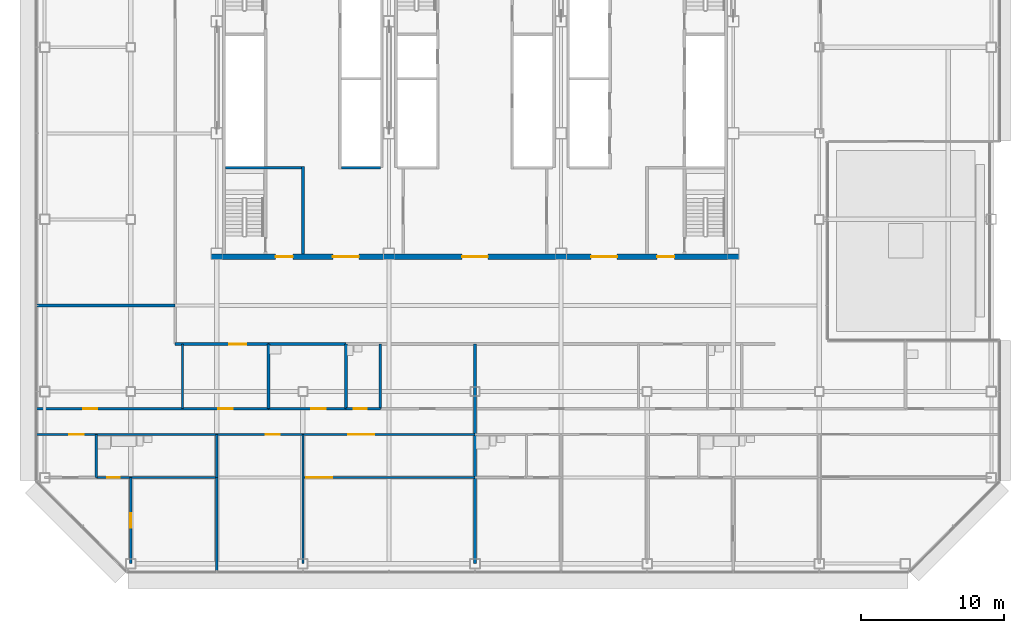
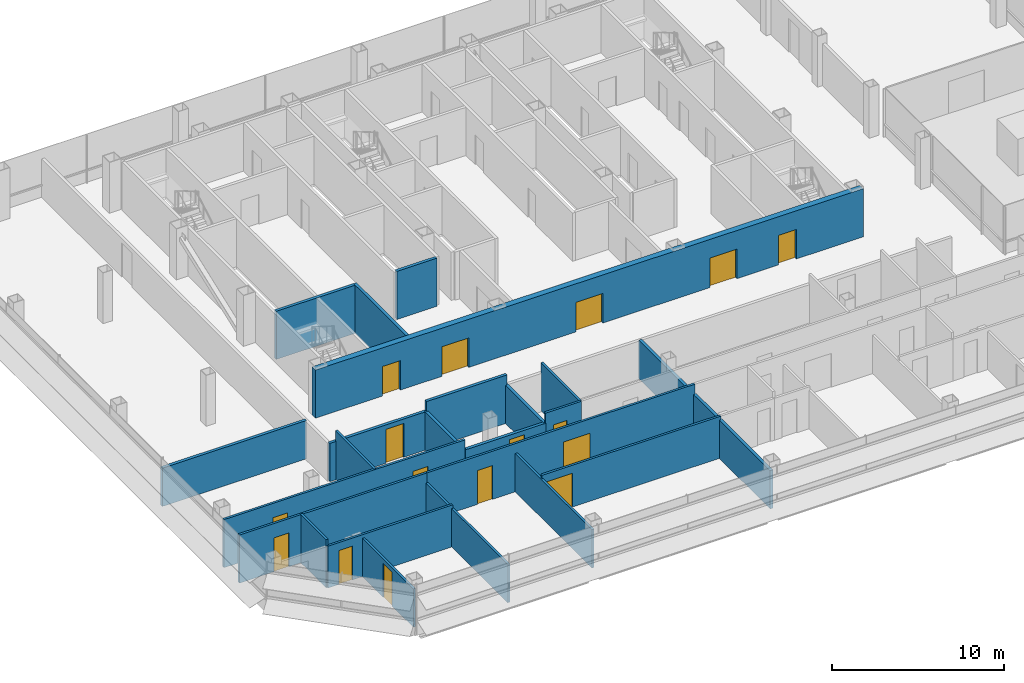
# One storey, part 19 of 27: 25 walls, 16 doors, 16 openings.
"""IFC4 building model written with IfcOpenShell, lengths in metres."""

from ifc_helpers import new_model, si_unit, direction, frame, frame_2d, origin, place, context, subcontext, project, spatial, rectangle, extrude, material, layer, layer_set, type_object, element, fill, save


model = new_model("IFC4")

# Units and contexts
model_context = context("Model", 3, precision=1e-05, world=origin(), true_north=direction((0.0, 1.0)))
body_context = subcontext(model_context, "Body", "Model", "MODEL_VIEW")
ifc_project = project(units=[si_unit("LENGTHUNIT", "METRE"), si_unit("AREAUNIT", "SQUARE_METRE"), si_unit("VOLUMEUNIT", "CUBIC_METRE"), si_unit("PLANEANGLEUNIT", "RADIAN"), si_unit("MASSUNIT", "GRAM", prefix="KILO")], contexts=[model_context])

# Site, building, storey
site_placement = place(None, origin())
site = spatial("IfcSite", under=ifc_project, at=site_placement, CompositionType="ELEMENT")
building_placement = place(site_placement, origin())
building = spatial("IfcBuilding", under=site, at=building_placement, Name="Sorahane Residences", CompositionType="ELEMENT")
storey_placement = place(building_placement, frame((0.0, 0.0, 167.199951171875)))
storey = spatial("IfcBuildingStorey", under=building, at=storey_placement, Name="L38", CompositionType="ELEMENT", Elevation=167.199951171875)

# Wall, opening, door
ifc_material_1 = material(Name="Concrete blockwork C20 wall", Category="masonry")
ifc_layer_1 = layer(ifc_material_1, 0.199951171875)
ifc_layer_set_1 = layer_set([ifc_layer_1], Name="Corridor wall 200 EI 120")
wall_type_1 = type_object("IfcWallType", Name="Corridor wall 200 EI 120", PredefinedType="SOLIDWALL", material=ifc_layer_set_1)
wall_1_placement = place(storey_placement, frame((3.10009765625, 15.300048828125, 0.0), z_axis=(0.0, 0.0, 1.0), x_axis=(1.0, 0.0, 0.0)))
wall_1 = element("IfcWall", 1, at=wall_1_placement, inside=storey, type_object=wall_type_1, Name="L38 corridor wall", PredefinedType="SOLIDWALL", context=body_context, shape_type="SweptSolid", body=[
    extrude(rectangle(XDim=6.5, YDim=0.199951171875, at=frame_2d((3.25, 0.0))), origin(), (0.0, 0.0, 1.0), 2.719970703125),
])
opening_1_placement = place(wall_1_placement, frame((3.760009765625, 0.0, 0.0)))
opening_1 = element("IfcOpeningElement", 2, at=opening_1_placement, cuts=wall_1, Name="Opening L38-28", PredefinedType="OPENING", context=body_context, shape_type="SweptSolid", body=[
    extrude(rectangle(XDim=1.199951171875, YDim=2.39990234375, at=frame_2d((0.60009765625, 1.199951171875))), frame((0.0, 0.10986328125, 0.0), z_axis=(0.0, -1.0, 0.0), x_axis=(1.0, 0.0, 0.0)), (0.0, 0.0, 1.0), 0.219970703125),
])
ifc_material_2 = material(Name="Timber veneered fire door", Category="wood")
door_type_1 = type_object("IfcDoorType", Name="Flat entrance door 1200x2400 FD60", OperationType="NOTDEFINED", PredefinedType="DOOR", material=ifc_material_2)
door_1_placement = place(opening_1_placement, frame((1.199951171875, 0.0, 0.0), z_axis=(0.0, 0.0, 1.0), x_axis=(-1.0, 0.0, 0.0)))
door_1 = element("IfcDoor", 3, at=door_1_placement, inside=storey, type_object=door_type_1, Name="Flat entrance door L38-28", OperationType="SINGLE_SWING_LEFT", OverallHeight=2.39990234375, OverallWidth=1.199951171875, PredefinedType="DOOR", context=body_context, shape_type="SweptSolid", body=[
    extrude(rectangle(XDim=1.199951171875, YDim=2.39990234375, at=frame_2d((0.60009765625, 1.199951171875))), frame((0.0, 0.02490234375, 0.0), z_axis=(0.0, -1.0, 0.0), x_axis=(1.0, 0.0, 0.0)), (0.0, 0.0, 1.0), 0.050048828125),
])
fill(opening_1, door_1)

# Walls
wall_2_placement = place(storey_placement, frame((-6.60009765625, 18.0, 0.0), z_axis=(0.0, 0.0, 1.0), x_axis=(1.0, 0.0, 0.0)))
element("IfcWall", 4, at=wall_2_placement, inside=storey, type_object=wall_type_1, Name="L38 corridor wall", PredefinedType="SOLIDWALL", context=body_context, shape_type="SweptSolid", body=[
    extrude(rectangle(XDim=9.7001953125, YDim=0.199951171875, at=frame_2d((4.85009765625, 0.0))), origin(), (0.0, 0.0, 1.0), 2.719970703125),
])
ifc_material_3 = material(Name="Concrete C30", Category="concrete")
ifc_layer_2 = layer(ifc_material_3, 0.199951171875)
ifc_layer_set_2 = layer_set([ifc_layer_2], Name="Front room wall 200 EI 120")
wall_type_2 = type_object("IfcWallType", Name="Front room wall 200 EI 120", PredefinedType="PARTITIONING", material=ifc_layer_set_2)
wall_3_placement = place(storey_placement, frame((12.0, 21.60009765625, 0.0), z_axis=(0.0, 0.0, 1.0), x_axis=(0.0, 1.0, 0.0)))
element("IfcWall", 5, at=wall_3_placement, inside=storey, type_object=wall_type_2, Name="L38 front room wall", PredefinedType="PARTITIONING", context=body_context, shape_type="SweptSolid", body=[
    extrude(rectangle(XDim=6.099853515625, YDim=0.199951171875, at=frame_2d((3.0498046875, 0.0))), origin(), (0.0, 0.0, 1.0), 3.420166015625),
])
ifc_material_4 = material(Name="Concrete blockwork C20 wall", Category="masonry")
ifc_layer_3 = layer(ifc_material_4, 0.199951171875)
ifc_layer_set_3 = layer_set([ifc_layer_3], Name="Kitchen wall 200 EI 180")
wall_type_3 = type_object("IfcWallType", Name="Kitchen wall 200 EI 180", PredefinedType="SOLIDWALL", material=ifc_layer_set_3)
for number, where, z_axis, x_axis, name in (
    (6, (15.0, 10.800048828125, 0.0), (0.0, 0.0, 1.0), (0.0, 1.0, 0.0), "L38 kitchen wall"),
    (7, (9.60009765625, 10.800048828125, 0.0), (0.0, 0.0, 1.0), (0.0, 1.0, 0.0), "L38 kitchen wall"),
):
    element("IfcWall", number, at=place(storey_placement, frame(where, z_axis=z_axis, x_axis=x_axis)), inside=storey, type_object=wall_type_3, Name=name, PredefinedType="SOLIDWALL", context=body_context, shape_type="SweptSolid", body=[
        extrude(rectangle(XDim=4.5, YDim=0.199951171875, at=frame_2d((2.25, 0.0))), origin(), (0.0, 0.0, 1.0), 2.719970703125),
    ])

# Wall, opening, door
wall_4_placement = place(storey_placement, frame((9.60009765625, 10.800048828125, 0.0), z_axis=(0.0, 0.0, 1.0), x_axis=(1.0, 0.0, 0.0)))
wall_4 = element("IfcWall", 8, at=wall_4_placement, inside=storey, type_object=wall_type_3, Name="L38 kitchen wall", PredefinedType="SOLIDWALL", context=body_context, shape_type="SweptSolid", body=[
    extrude(rectangle(XDim=5.39990234375, YDim=0.199951171875, at=frame_2d((2.699951171875, 0.0))), origin(), (0.0, 0.0, 1.0), 2.719970703125),
])
opening_2_placement = place(wall_4_placement, frame((2.97998046875, 0.0, 0.0)))
opening_2 = element("IfcOpeningElement", 9, at=opening_2_placement, cuts=wall_4, Name="Opening L38-03", PredefinedType="OPENING", context=body_context, shape_type="SweptSolid", body=[
    extrude(rectangle(XDim=1.0, YDim=2.39990234375, at=frame_2d((0.5, 1.199951171875))), frame((0.0, 0.10986328125, 0.0), z_axis=(0.0, -1.0, 0.0), x_axis=(1.0, 0.0, 0.0)), (0.0, 0.0, 1.0), 0.219970703125),
])
ifc_material_5 = material(Name="Steel", Category="steel")
door_type_2 = type_object("IfcDoorType", Name="Kitchen door 1000x2400 FD120", OperationType="NOTDEFINED", PredefinedType="DOOR", material=ifc_material_5)
door_2_placement = place(opening_2_placement, origin())
door_2 = element("IfcDoor", 10, at=door_2_placement, inside=storey, type_object=door_type_2, Name="Kitchen door L38-03", OperationType="SINGLE_SWING_RIGHT", OverallHeight=2.39990234375, OverallWidth=1.0, PredefinedType="DOOR", context=body_context, shape_type="SweptSolid", body=[
    extrude(rectangle(XDim=1.0, YDim=2.39990234375, at=frame_2d((0.5, 1.199951171875))), frame((0.0, 0.02490234375, 0.0), z_axis=(0.0, -1.0, 0.0), x_axis=(1.0, 0.0, 0.0)), (0.0, 0.0, 1.0), 0.050048828125),
])
fill(opening_2, door_2)

# Walls
wall_5_placement = place(storey_placement, frame((9.60009765625, 15.300048828125, 0.0), z_axis=(0.0, 0.0, 1.0), x_axis=(1.0, 0.0, 0.0)))
element("IfcWall", 11, at=wall_5_placement, inside=storey, type_object=wall_type_3, Name="L38 kitchen wall", PredefinedType="SOLIDWALL", context=body_context, shape_type="SweptSolid", body=[
    extrude(rectangle(XDim=5.39990234375, YDim=0.199951171875, at=frame_2d((2.699951171875, 0.0))), origin(), (0.0, 0.0, 1.0), 3.420166015625),
])
ifc_material_6 = material(Name="Concrete C30", Category="concrete")
ifc_layer_4 = layer(ifc_material_6, 0.199951171875)
ifc_layer_set_4 = layer_set([ifc_layer_4], Name="Lift shaft wall 200 EI 120")
wall_type_4 = type_object("IfcWallType", Name="Lift shaft wall 200 EI 120", PredefinedType="SOLIDWALL", material=ifc_layer_set_4)
wall_6_placement = place(storey_placement, frame((14.699951171875, 27.60009765625, 0.0), z_axis=(0.0, 0.0, 1.0), x_axis=(1.0, 0.0, 0.0)))
element("IfcWall", 12, at=wall_6_placement, inside=storey, type_object=wall_type_4, Name="L38 lift shaft wall", PredefinedType="SOLIDWALL", context=body_context, shape_type="SweptSolid", body=[
    extrude(rectangle(XDim=2.699951171875, YDim=0.199951171875, at=frame_2d((1.35009765625, 0.0))), origin(), (0.0, 0.0, 1.0), 3.420166015625),
])

# Wall, opening, door
ifc_material_7 = material(Name="Gypsum board partition on steel studs", Category="steel")
ifc_layer_5 = layer(ifc_material_7, 0.14990234375)
ifc_layer_set_5 = layer_set([ifc_layer_5], Name="Partition 150 EI 90")
wall_type_5 = type_object("IfcWallType", Name="Partition 150 EI 90", PredefinedType="PARTITIONING", material=ifc_layer_set_5)
wall_7_placement = place(storey_placement, frame((0.0, 0.0, 0.0), z_axis=(0.0, 0.0, 1.0), x_axis=(0.0, 1.0, 0.0)))
wall_7 = element("IfcWall", 13, at=wall_7_placement, inside=storey, type_object=wall_type_5, Name="L38 partition", PredefinedType="PARTITIONING", context=body_context, shape_type="SweptSolid", body=[
    extrude(rectangle(XDim=6.0, YDim=0.14990234375, at=frame_2d((3.0, 0.0))), origin(), (0.0, 0.0, 1.0), 2.719970703125),
])
opening_3_placement = place(wall_7_placement, frame((2.5, 0.0, 0.0)))
opening_3 = element("IfcOpeningElement", 14, at=opening_3_placement, cuts=wall_7, Name="Opening L38-10", PredefinedType="OPENING", context=body_context, shape_type="SweptSolid", body=[
    extrude(rectangle(XDim=1.0, YDim=2.39990234375, at=frame_2d((0.5, 1.199951171875))), frame((0.0, 0.0849609375, 0.0), z_axis=(0.0, -1.0, 0.0), x_axis=(1.0, 0.0, 0.0)), (0.0, 0.0, 1.0), 0.169921875),
])
ifc_material_8 = material(Name="Timber veneered fire door", Category="wood")
door_type_3 = type_object("IfcDoorType", Name="Room door 1000x2400 FD30", OperationType="NOTDEFINED", PredefinedType="DOOR", material=ifc_material_8)
door_3_placement = place(opening_3_placement, frame((1.0, 0.0, 0.0), z_axis=(0.0, 0.0, 1.0), x_axis=(-1.0, 0.0, 0.0)))
door_3 = element("IfcDoor", 15, at=door_3_placement, inside=storey, type_object=door_type_3, Name="Room door L38-10", OperationType="SINGLE_SWING_RIGHT", OverallHeight=2.39990234375, OverallWidth=1.0, PredefinedType="DOOR", context=body_context, shape_type="SweptSolid", body=[
    extrude(rectangle(XDim=1.0, YDim=2.39990234375, at=frame_2d((0.5, 1.199951171875))), frame((0.0, 0.02490234375, 0.0), z_axis=(0.0, -1.0, 0.0), x_axis=(1.0, 0.0, 0.0)), (0.0, 0.0, 1.0), 0.050048828125),
])
fill(opening_3, door_3)

# Walls
wall_8_placement = place(storey_placement, frame((12.0, 0.0, 0.0), z_axis=(0.0, 0.0, 1.0), x_axis=(0.0, 1.0, 0.0)))
element("IfcWall", 16, at=wall_8_placement, inside=storey, type_object=wall_type_5, Name="L38 partition", PredefinedType="PARTITIONING", context=body_context, shape_type="SweptSolid", body=[
    extrude(rectangle(XDim=9.0, YDim=0.14990234375, at=frame_2d((4.5, 0.0))), origin(), (0.0, 0.0, 1.0), 2.719970703125),
])
wall_9_placement = place(storey_placement, frame((3.60009765625, 10.800048828125, 0.0), z_axis=(0.0, 0.0, 1.0), x_axis=(0.0, 1.0, 0.0)))
element("IfcWall", 17, at=wall_9_placement, inside=storey, type_object=wall_type_5, Name="L38 partition", PredefinedType="PARTITIONING", context=body_context, shape_type="SweptSolid", body=[
    extrude(rectangle(XDim=4.5, YDim=0.14990234375, at=frame_2d((2.25, 0.0))), origin(), (0.0, 0.0, 1.0), 3.420166015625),
])
wall_10_placement = place(storey_placement, frame((6.0, -0.60009765625, 0.0), z_axis=(0.0, 0.0, 1.0), x_axis=(0.0, 1.0, 0.0)))
element("IfcWall", 18, at=wall_10_placement, inside=storey, type_object=wall_type_5, Name="L38 partition", PredefinedType="PARTITIONING", context=body_context, shape_type="SweptSolid", body=[
    extrude(rectangle(XDim=6.60009765625, YDim=0.14990234375, at=frame_2d((3.300048828125, 0.0))), origin(), (0.0, 0.0, 1.0), 2.719970703125),
])

# Wall, openings, doors
wall_11_placement = place(storey_placement, frame((-6.60009765625, 10.800048828125, 0.0), z_axis=(0.0, 0.0, 1.0), x_axis=(1.0, 0.0, 0.0)))
wall_11 = element("IfcWall", 19, at=wall_11_placement, inside=storey, type_object=wall_type_5, Name="L38 partition", PredefinedType="PARTITIONING", context=body_context, shape_type="SweptSolid", body=[
    extrude(rectangle(XDim=16.2001953125, YDim=0.14990234375, at=frame_2d((8.10009765625, 0.0))), origin(), (0.0, 0.0, 1.0), 3.420166015625),
])
opening_4_placement = place(wall_11_placement, frame((12.699951171875, 0.0, 0.0)))
opening_4 = element("IfcOpeningElement", 20, at=opening_4_placement, cuts=wall_11, Name="Opening L38-01", PredefinedType="OPENING", context=body_context, shape_type="SweptSolid", body=[
    extrude(rectangle(XDim=1.0, YDim=2.39990234375, at=frame_2d((0.5, 1.199951171875))), frame((0.0, 0.0849609375, 0.0), z_axis=(0.0, -1.0, 0.0), x_axis=(1.0, 0.0, 0.0)), (0.0, 0.0, 1.0), 0.169921875),
])
opening_5_placement = place(wall_11_placement, frame((3.280029296875, 0.0, 0.0)))
opening_5 = element("IfcOpeningElement", 21, at=opening_5_placement, cuts=wall_11, Name="Opening L38-02", PredefinedType="OPENING", context=body_context, shape_type="SweptSolid", body=[
    extrude(rectangle(XDim=1.0, YDim=2.39990234375, at=frame_2d((0.5, 1.199951171875))), frame((0.0, 0.0849609375, 0.0), z_axis=(0.0, -1.0, 0.0), x_axis=(1.0, 0.0, 0.0)), (0.0, 0.0, 1.0), 0.169921875),
])
door_4_placement = place(opening_4_placement, frame((1.0, 0.0, 0.0), z_axis=(0.0, 0.0, 1.0), x_axis=(-1.0, 0.0, 0.0)))
door_4 = element("IfcDoor", 22, at=door_4_placement, inside=storey, type_object=door_type_3, Name="Room door L38-01", OperationType="SINGLE_SWING_RIGHT", OverallHeight=2.39990234375, OverallWidth=1.0, PredefinedType="DOOR", context=body_context, shape_type="SweptSolid", body=[
    extrude(rectangle(XDim=1.0, YDim=2.39990234375, at=frame_2d((0.5, 1.199951171875))), frame((0.0, 0.02490234375, 0.0), z_axis=(0.0, -1.0, 0.0), x_axis=(1.0, 0.0, 0.0)), (0.0, 0.0, 1.0), 0.050048828125),
])
fill(opening_4, door_4)
door_5_placement = place(opening_5_placement, origin())
door_5 = element("IfcDoor", 23, at=door_5_placement, inside=storey, type_object=door_type_3, Name="Room door L38-02", OperationType="SINGLE_SWING_LEFT", OverallHeight=2.39990234375, OverallWidth=1.0, PredefinedType="DOOR", context=body_context, shape_type="SweptSolid", body=[
    extrude(rectangle(XDim=1.0, YDim=2.39990234375, at=frame_2d((0.5, 1.199951171875))), frame((0.0, 0.02490234375, 0.0), z_axis=(0.0, -1.0, 0.0), x_axis=(1.0, 0.0, 0.0)), (0.0, 0.0, 1.0), 0.050048828125),
])
fill(opening_5, door_5)

# Wall, opening, door
wall_12_placement = place(storey_placement, frame((12.0, 6.0, 0.0), z_axis=(0.0, 0.0, 1.0), x_axis=(1.0, 0.0, 0.0)))
wall_12 = element("IfcWall", 24, at=wall_12_placement, inside=storey, type_object=wall_type_5, Name="L38 partition", PredefinedType="PARTITIONING", context=body_context, shape_type="SweptSolid", body=[
    extrude(rectangle(XDim=12.0, YDim=0.14990234375, at=frame_2d((6.0, 0.0))), origin(), (0.0, 0.0, 1.0), 2.969970703125),
])
opening_6_placement = place(wall_12_placement, frame((0.25, 0.0, 0.0)))
opening_6 = element("IfcOpeningElement", 25, at=opening_6_placement, cuts=wall_12, Name="Opening L38-12", PredefinedType="OPENING", context=body_context, shape_type="SweptSolid", body=[
    extrude(rectangle(XDim=1.800048828125, YDim=2.39990234375, at=frame_2d((0.89990234375, 1.199951171875))), frame((0.0, 0.0849609375, 0.0), z_axis=(0.0, -1.0, 0.0), x_axis=(1.0, 0.0, 0.0)), (0.0, 0.0, 1.0), 0.169921875),
])
ifc_material_9 = material(Name="Timber veneered fire door", Category="wood")
door_type_4 = type_object("IfcDoorType", Name="Double door 1800x2400 FD30", OperationType="NOTDEFINED", PredefinedType="DOOR", material=ifc_material_9)
door_6_placement = place(opening_6_placement, frame((1.800048828125, 0.0, 0.0), z_axis=(0.0, 0.0, 1.0), x_axis=(-1.0, 0.0, 0.0)))
door_6 = element("IfcDoor", 26, at=door_6_placement, inside=storey, type_object=door_type_4, Name="Double door L38-12", OperationType="SINGLE_SWING_LEFT", OverallHeight=2.39990234375, OverallWidth=1.800048828125, PredefinedType="DOOR", context=body_context, shape_type="SweptSolid", body=[
    extrude(rectangle(XDim=1.800048828125, YDim=2.39990234375, at=frame_2d((0.89990234375, 1.199951171875))), frame((0.0, 0.02490234375, 0.0), z_axis=(0.0, -1.0, 0.0), x_axis=(1.0, 0.0, 0.0)), (0.0, 0.0, 1.0), 0.050048828125),
])
fill(opening_6, door_6)

wall_13_placement = place(storey_placement, frame((-6.60009765625, 9.0, 0.0), z_axis=(0.0, 0.0, 1.0), x_axis=(1.0, 0.0, 0.0)))
wall_13 = element("IfcWall", 27, at=wall_13_placement, inside=storey, type_object=wall_type_5, Name="L38 partition", PredefinedType="PARTITIONING", context=body_context, shape_type="SweptSolid", body=[
    extrude(rectangle(XDim=4.2001953125, YDim=0.14990234375, at=frame_2d((2.10009765625, 0.0))), origin(), (0.0, 0.0, 1.0), 3.420166015625),
])
opening_7_placement = place(wall_13_placement, frame((2.320068359375, 0.0, 0.0)))
opening_7 = element("IfcOpeningElement", 28, at=opening_7_placement, cuts=wall_13, Name="Opening L38-06", PredefinedType="OPENING", context=body_context, shape_type="SweptSolid", body=[
    extrude(rectangle(XDim=1.0, YDim=2.39990234375, at=frame_2d((0.5, 1.199951171875))), frame((0.0, 0.0849609375, 0.0), z_axis=(0.0, -1.0, 0.0), x_axis=(1.0, 0.0, 0.0)), (0.0, 0.0, 1.0), 0.169921875),
])
door_7_placement = place(opening_7_placement, frame((1.0, 0.0, 0.0), z_axis=(0.0, 0.0, 1.0), x_axis=(-1.0, 0.0, 0.0)))
door_7 = element("IfcDoor", 29, at=door_7_placement, inside=storey, type_object=door_type_3, Name="Room door L38-06", OperationType="SINGLE_SWING_RIGHT", OverallHeight=2.39990234375, OverallWidth=1.0, PredefinedType="DOOR", context=body_context, shape_type="SweptSolid", body=[
    extrude(rectangle(XDim=1.0, YDim=2.39990234375, at=frame_2d((0.5, 1.199951171875))), frame((0.0, 0.02490234375, 0.0), z_axis=(0.0, -1.0, 0.0), x_axis=(1.0, 0.0, 0.0)), (0.0, 0.0, 1.0), 0.050048828125),
])
fill(opening_7, door_7)

# Wall, openings, doors
wall_14_placement = place(storey_placement, frame((6.0, 9.0, 0.0), z_axis=(0.0, 0.0, 1.0), x_axis=(1.0, 0.0, 0.0)))
wall_14 = element("IfcWall", 30, at=wall_14_placement, inside=storey, type_object=wall_type_5, Name="L38 partition", PredefinedType="PARTITIONING", context=body_context, shape_type="SweptSolid", body=[
    extrude(rectangle(XDim=18.0, YDim=0.14990234375, at=frame_2d((9.0, 0.0))), origin(), (0.0, 0.0, 1.0), 3.420166015625),
])
opening_8_placement = place(wall_14_placement, frame((3.39990234375, 0.0, 0.0)))
opening_8 = element("IfcOpeningElement", 31, at=opening_8_placement, cuts=wall_14, Name="Opening L38-07", PredefinedType="OPENING", context=body_context, shape_type="SweptSolid", body=[
    extrude(rectangle(XDim=1.0, YDim=2.39990234375, at=frame_2d((0.5, 1.199951171875))), frame((0.0, 0.0849609375, 0.0), z_axis=(0.0, -1.0, 0.0), x_axis=(1.0, 0.0, 0.0)), (0.0, 0.0, 1.0), 0.169921875),
])
opening_9_placement = place(wall_14_placement, frame((9.159912109375, 0.0, 0.0)))
opening_9 = element("IfcOpeningElement", 32, at=opening_9_placement, cuts=wall_14, Name="Opening L38-08", PredefinedType="OPENING", context=body_context, shape_type="SweptSolid", body=[
    extrude(rectangle(XDim=1.800048828125, YDim=2.39990234375, at=frame_2d((0.89990234375, 1.199951171875))), frame((0.0, 0.0849609375, 0.0), z_axis=(0.0, -1.0, 0.0), x_axis=(1.0, 0.0, 0.0)), (0.0, 0.0, 1.0), 0.169921875),
])
door_8_placement = place(opening_9_placement, frame((1.800048828125, 0.0, 0.0), z_axis=(0.0, 0.0, 1.0), x_axis=(-1.0, 0.0, 0.0)))
door_8 = element("IfcDoor", 33, at=door_8_placement, inside=storey, type_object=door_type_4, Name="Double door L38-08", OperationType="SINGLE_SWING_LEFT", OverallHeight=2.39990234375, OverallWidth=1.800048828125, PredefinedType="DOOR", context=body_context, shape_type="SweptSolid", body=[
    extrude(rectangle(XDim=1.800048828125, YDim=2.39990234375, at=frame_2d((0.89990234375, 1.199951171875))), frame((0.0, 0.02490234375, 0.0), z_axis=(0.0, -1.0, 0.0), x_axis=(1.0, 0.0, 0.0)), (0.0, 0.0, 1.0), 0.050048828125),
])
fill(opening_9, door_8)
door_9_placement = place(opening_8_placement, frame((1.0, 0.0, 0.0), z_axis=(0.0, 0.0, 1.0), x_axis=(-1.0, 0.0, 0.0)))
door_9 = element("IfcDoor", 34, at=door_9_placement, inside=storey, type_object=door_type_3, Name="Room door L38-07", OperationType="SINGLE_SWING_LEFT", OverallHeight=2.39990234375, OverallWidth=1.0, PredefinedType="DOOR", context=body_context, shape_type="SweptSolid", body=[
    extrude(rectangle(XDim=1.0, YDim=2.39990234375, at=frame_2d((0.5, 1.199951171875))), frame((0.0, 0.02490234375, 0.0), z_axis=(0.0, -1.0, 0.0), x_axis=(1.0, 0.0, 0.0)), (0.0, 0.0, 1.0), 0.050048828125),
])
fill(opening_8, door_9)

# Walls
ifc_material_10 = material(Name="Concrete blockwork C20 wall", Category="masonry")
ifc_layer_6 = layer(ifc_material_10, 0.199951171875)
ifc_layer_set_6 = layer_set([ifc_layer_6], Name="Party wall 200 EI 120")
wall_type_6 = type_object("IfcWallType", Name="Party wall 200 EI 120", PredefinedType="SOLIDWALL", material=ifc_layer_set_6)
wall_15_placement = place(storey_placement, frame((24.0, 0.0, 0.0), z_axis=(0.0, 0.0, 1.0), x_axis=(0.0, 1.0, 0.0)))
element("IfcWall", 35, at=wall_15_placement, inside=storey, type_object=wall_type_6, Name="L38 party wall", PredefinedType="SOLIDWALL", context=body_context, shape_type="SweptSolid", body=[
    extrude(rectangle(XDim=15.300048828125, YDim=0.199951171875, at=frame_2d((7.64990234375, 0.0))), origin(), (0.0, 0.0, 1.0), 2.719970703125),
])
ifc_material_11 = material(Name="Concrete C30", Category="concrete")
ifc_layer_7 = layer(ifc_material_11, 0.199951171875)
ifc_layer_set_7 = layer_set([ifc_layer_7], Name="Stair enclosure wall 200 EI 120")
wall_type_7 = type_object("IfcWallType", Name="Stair enclosure wall 200 EI 120", PredefinedType="SOLIDWALL", material=ifc_layer_set_7)
wall_16_placement = place(storey_placement, frame((6.60009765625, 27.60009765625, 0.0), z_axis=(0.0, 0.0, 1.0), x_axis=(1.0, 0.0, 0.0)))
element("IfcWall", 36, at=wall_16_placement, inside=storey, type_object=wall_type_7, Name="L38 stair enclosure wall", PredefinedType="SOLIDWALL", context=body_context, shape_type="SweptSolid", body=[
    extrude(rectangle(XDim=5.2998046875, YDim=0.199951171875, at=frame_2d((2.64990234375, 0.0))), origin(), (0.0, 0.0, 1.0), 3.420166015625),
])

# Wall, openings, doors
ifc_material_12 = material(Name="Concrete C30", Category="concrete")
ifc_layer_8 = layer(ifc_material_12, 0.39990234375)
ifc_layer_set_8 = layer_set([ifc_layer_8], Name="Waiting hall wall 400 EI 120")
wall_type_8 = type_object("IfcWallType", Name="Waiting hall wall 400 EI 120", PredefinedType="SOLIDWALL", material=ifc_layer_set_8)
wall_17_placement = place(storey_placement, frame((5.60009765625, 21.39990234375, 0.0), z_axis=(0.0, 0.0, 1.0), x_axis=(1.0, 0.0, 0.0)))
wall_17 = element("IfcWall", 37, at=wall_17_placement, inside=storey, type_object=wall_type_8, Name="L38 waiting hall wall", PredefinedType="SOLIDWALL", context=body_context, shape_type="SweptSolid", body=[
    extrude(rectangle(XDim=36.7998046875, YDim=0.39990234375, at=frame_2d((18.39990234375, 0.0))), origin(), (0.0, 0.0, 1.0), 3.420166015625),
])
opening_10_placement = place(wall_17_placement, frame((8.5, 0.0, 0.0)))
opening_10 = element("IfcOpeningElement", 38, at=opening_10_placement, cuts=wall_17, Name="Opening L38-C01", PredefinedType="OPENING", context=body_context, shape_type="SweptSolid", body=[
    extrude(rectangle(XDim=1.800048828125, YDim=2.10009765625, at=frame_2d((0.89990234375, 1.050048828125))), frame((0.0, 0.2099609375, 0.0), z_axis=(0.0, -1.0, 0.0), x_axis=(1.0, 0.0, 0.0)), (0.0, 0.0, 1.0), 0.419921875),
])
opening_11_placement = place(wall_17_placement, frame((17.5, 0.0, 0.0)))
opening_11 = element("IfcOpeningElement", 39, at=opening_11_placement, cuts=wall_17, Name="Opening L38-C03", PredefinedType="OPENING", context=body_context, shape_type="SweptSolid", body=[
    extrude(rectangle(XDim=1.800048828125, YDim=2.10009765625, at=frame_2d((0.89990234375, 1.050048828125))), frame((0.0, 0.2099609375, 0.0), z_axis=(0.0, -1.0, 0.0), x_axis=(1.0, 0.0, 0.0)), (0.0, 0.0, 1.0), 0.419921875),
])
opening_12_placement = place(wall_17_placement, frame((26.5, 0.0, 0.0)))
opening_12 = element("IfcOpeningElement", 40, at=opening_12_placement, cuts=wall_17, Name="Opening L38-C05", PredefinedType="OPENING", context=body_context, shape_type="SweptSolid", body=[
    extrude(rectangle(XDim=1.800048828125, YDim=2.10009765625, at=frame_2d((0.89990234375, 1.050048828125))), frame((0.0, 0.2099609375, 0.0), z_axis=(0.0, -1.0, 0.0), x_axis=(1.0, 0.0, 0.0)), (0.0, 0.0, 1.0), 0.419921875),
])
opening_13_placement = place(wall_17_placement, frame((4.5, 0.0, 0.0)))
opening_13 = element("IfcOpeningElement", 41, at=opening_13_placement, cuts=wall_17, Name="Opening L38-C06", PredefinedType="OPENING", context=body_context, shape_type="SweptSolid", body=[
    extrude(rectangle(XDim=1.199951171875, YDim=2.10009765625, at=frame_2d((0.60009765625, 1.050048828125))), frame((0.0, 0.2099609375, 0.0), z_axis=(0.0, -1.0, 0.0), x_axis=(1.0, 0.0, 0.0)), (0.0, 0.0, 1.0), 0.419921875),
])
opening_14_placement = place(wall_17_placement, frame((31.10009765625, 0.0, 0.0)))
opening_14 = element("IfcOpeningElement", 42, at=opening_14_placement, cuts=wall_17, Name="Opening L38-C07", PredefinedType="OPENING", context=body_context, shape_type="SweptSolid", body=[
    extrude(rectangle(XDim=1.199951171875, YDim=2.10009765625, at=frame_2d((0.60009765625, 1.050048828125))), frame((0.0, 0.2099609375, 0.0), z_axis=(0.0, -1.0, 0.0), x_axis=(1.0, 0.0, 0.0)), (0.0, 0.0, 1.0), 0.419921875),
])
ifc_material_13 = material(Name="Steel", Category="steel")
door_type_5 = type_object("IfcDoorType", Name="Stair front room door 1200x2100 FD120", OperationType="NOTDEFINED", PredefinedType="DOOR", material=ifc_material_13)
door_10_placement = place(opening_13_placement, frame((1.199951171875, 0.0, 0.0), z_axis=(0.0, 0.0, 1.0), x_axis=(-1.0, 0.0, 0.0)))
door_10 = element("IfcDoor", 43, at=door_10_placement, inside=storey, type_object=door_type_5, Name="Stair front room door Stair S4 front room L38", OperationType="SINGLE_SWING_LEFT", OverallHeight=2.10009765625, OverallWidth=1.199951171875, PredefinedType="DOOR", context=body_context, shape_type="SweptSolid", body=[
    extrude(rectangle(XDim=1.199951171875, YDim=2.10009765625, at=frame_2d((0.60009765625, 1.050048828125))), frame((0.0, 0.02490234375, 0.0), z_axis=(0.0, -1.0, 0.0), x_axis=(1.0, 0.0, 0.0)), (0.0, 0.0, 1.0), 0.050048828125),
])
fill(opening_13, door_10)
door_11_placement = place(opening_14_placement, frame((1.199951171875, 0.0, 0.0), z_axis=(0.0, 0.0, 1.0), x_axis=(-1.0, 0.0, 0.0)))
door_11 = element("IfcDoor", 44, at=door_11_placement, inside=storey, type_object=door_type_5, Name="Stair front room door Stair S5 front room L38", OperationType="SINGLE_SWING_LEFT", OverallHeight=2.10009765625, OverallWidth=1.199951171875, PredefinedType="DOOR", context=body_context, shape_type="SweptSolid", body=[
    extrude(rectangle(XDim=1.199951171875, YDim=2.10009765625, at=frame_2d((0.60009765625, 1.050048828125))), frame((0.0, 0.02490234375, 0.0), z_axis=(0.0, -1.0, 0.0), x_axis=(1.0, 0.0, 0.0)), (0.0, 0.0, 1.0), 0.050048828125),
])
fill(opening_14, door_11)
ifc_material_14 = material(Name="Steel", Category="steel")
door_type_6 = type_object("IfcDoorType", Name="Waiting hall door 1800x2100 FD60", OperationType="NOTDEFINED", PredefinedType="DOOR", material=ifc_material_14)
door_12_placement = place(opening_10_placement, frame((1.800048828125, 0.0, 0.0), z_axis=(0.0, 0.0, 1.0), x_axis=(-1.0, 0.0, 0.0)))
door_12 = element("IfcDoor", 45, at=door_12_placement, inside=storey, type_object=door_type_6, Name="Waiting hall door Residents' waiting hall west L38", OperationType="SINGLE_SWING_LEFT", OverallHeight=2.10009765625, OverallWidth=1.800048828125, PredefinedType="DOOR", context=body_context, shape_type="SweptSolid", body=[
    extrude(rectangle(XDim=1.800048828125, YDim=2.10009765625, at=frame_2d((0.89990234375, 1.050048828125))), frame((0.0, 0.02490234375, 0.0), z_axis=(0.0, -1.0, 0.0), x_axis=(1.0, 0.0, 0.0)), (0.0, 0.0, 1.0), 0.050048828125),
])
fill(opening_10, door_12)
door_13_placement = place(opening_11_placement, frame((1.800048828125, 0.0, 0.0), z_axis=(0.0, 0.0, 1.0), x_axis=(-1.0, 0.0, 0.0)))
door_13 = element("IfcDoor", 46, at=door_13_placement, inside=storey, type_object=door_type_6, Name="Waiting hall door Residents' waiting hall centre L38", OperationType="SINGLE_SWING_LEFT", OverallHeight=2.10009765625, OverallWidth=1.800048828125, PredefinedType="DOOR", context=body_context, shape_type="SweptSolid", body=[
    extrude(rectangle(XDim=1.800048828125, YDim=2.10009765625, at=frame_2d((0.89990234375, 1.050048828125))), frame((0.0, 0.02490234375, 0.0), z_axis=(0.0, -1.0, 0.0), x_axis=(1.0, 0.0, 0.0)), (0.0, 0.0, 1.0), 0.050048828125),
])
fill(opening_11, door_13)
door_14_placement = place(opening_12_placement, frame((1.800048828125, 0.0, 0.0), z_axis=(0.0, 0.0, 1.0), x_axis=(-1.0, 0.0, 0.0)))
door_14 = element("IfcDoor", 47, at=door_14_placement, inside=storey, type_object=door_type_6, Name="Waiting hall door Residents' waiting hall east L38", OperationType="SINGLE_SWING_LEFT", OverallHeight=2.10009765625, OverallWidth=1.800048828125, PredefinedType="DOOR", context=body_context, shape_type="SweptSolid", body=[
    extrude(rectangle(XDim=1.800048828125, YDim=2.10009765625, at=frame_2d((0.89990234375, 1.050048828125))), frame((0.0, 0.02490234375, 0.0), z_axis=(0.0, -1.0, 0.0), x_axis=(1.0, 0.0, 0.0)), (0.0, 0.0, 1.0), 0.050048828125),
])
fill(opening_12, door_14)

# Walls
ifc_material_15 = material(Name="Gypsum board partition on steel studs", Category="steel")
ifc_layer_9 = layer(ifc_material_15, 0.14990234375)
ifc_layer_set_9 = layer_set([ifc_layer_9], Name="Wet wall 150 EI 90")
wall_type_9 = type_object("IfcWallType", Name="Wet wall 150 EI 90", PredefinedType="PARTITIONING", material=ifc_layer_set_9)
wall_18_placement = place(storey_placement, frame((-2.39990234375, 6.0, 0.0), z_axis=(0.0, 0.0, 1.0), x_axis=(0.0, 1.0, 0.0)))
element("IfcWall", 48, at=wall_18_placement, inside=storey, type_object=wall_type_9, Name="L38 wet wall", PredefinedType="PARTITIONING", context=body_context, shape_type="SweptSolid", body=[
    extrude(rectangle(XDim=3.0, YDim=0.14990234375, at=frame_2d((1.5, 0.0))), origin(), (0.0, 0.0, 1.0), 3.420166015625),
])
wall_19_placement = place(storey_placement, frame((17.39990234375, 10.800048828125, 0.0), z_axis=(0.0, 0.0, 1.0), x_axis=(0.0, 1.0, 0.0)))
element("IfcWall", 49, at=wall_19_placement, inside=storey, type_object=wall_type_9, Name="L38 wet wall", PredefinedType="PARTITIONING", context=body_context, shape_type="SweptSolid", body=[
    extrude(rectangle(XDim=4.5, YDim=0.14990234375, at=frame_2d((2.25, 0.0))), origin(), (0.0, 0.0, 1.0), 3.420166015625),
])
wall_20_placement = place(storey_placement, frame((6.0, 6.0, 0.0), z_axis=(0.0, 0.0, 1.0), x_axis=(0.0, 1.0, 0.0)))
element("IfcWall", 50, at=wall_20_placement, inside=storey, type_object=wall_type_9, Name="L38 wet wall", PredefinedType="PARTITIONING", context=body_context, shape_type="SweptSolid", body=[
    extrude(rectangle(XDim=3.0, YDim=0.14990234375, at=frame_2d((1.5, 0.0))), origin(), (0.0, 0.0, 1.0), 2.719970703125),
])

# Wall, opening, door
wall_21_placement = place(storey_placement, frame((15.0, 10.800048828125, 0.0), z_axis=(0.0, 0.0, 1.0), x_axis=(1.0, 0.0, 0.0)))
wall_21 = element("IfcWall", 51, at=wall_21_placement, inside=storey, type_object=wall_type_9, Name="L38 wet wall", PredefinedType="PARTITIONING", context=body_context, shape_type="SweptSolid", body=[
    extrude(rectangle(XDim=2.39990234375, YDim=0.14990234375, at=frame_2d((1.199951171875, 0.0))), origin(), (0.0, 0.0, 1.0), 3.420166015625),
])
opening_15_placement = place(wall_21_placement, frame((0.550048828125, 0.0, 0.0)))
opening_15 = element("IfcOpeningElement", 52, at=opening_15_placement, cuts=wall_21, Name="Opening L38-04", PredefinedType="OPENING", context=body_context, shape_type="SweptSolid", body=[
    extrude(rectangle(XDim=0.89990234375, YDim=2.39990234375, at=frame_2d((0.449951171875, 1.199951171875))), frame((0.0, 0.0849609375, 0.0), z_axis=(0.0, -1.0, 0.0), x_axis=(1.0, 0.0, 0.0)), (0.0, 0.0, 1.0), 0.169921875),
])
ifc_material_16 = material(Name="Timber veneered fire door", Category="wood")
door_type_7 = type_object("IfcDoorType", Name="Bathroom door 900x2400 FD30", OperationType="NOTDEFINED", PredefinedType="DOOR", material=ifc_material_16)
door_15_placement = place(opening_15_placement, frame((0.89990234375, 0.0, 0.0), z_axis=(0.0, 0.0, 1.0), x_axis=(-1.0, 0.0, 0.0)))
door_15 = element("IfcDoor", 53, at=door_15_placement, inside=storey, type_object=door_type_7, Name="Bathroom door L38-04", OperationType="SINGLE_SWING_RIGHT", OverallHeight=2.39990234375, OverallWidth=0.89990234375, PredefinedType="DOOR", context=body_context, shape_type="SweptSolid", body=[
    extrude(rectangle(XDim=0.89990234375, YDim=2.39990234375, at=frame_2d((0.449951171875, 1.199951171875))), frame((0.0, 0.02490234375, 0.0), z_axis=(0.0, -1.0, 0.0), x_axis=(1.0, 0.0, 0.0)), (0.0, 0.0, 1.0), 0.050048828125),
])
fill(opening_15, door_15)

wall_22_placement = place(storey_placement, frame((-2.39990234375, 6.0, 0.0), z_axis=(0.0, 0.0, 1.0), x_axis=(1.0, 0.0, 0.0)))
wall_22 = element("IfcWall", 54, at=wall_22_placement, inside=storey, type_object=wall_type_9, Name="L38 wet wall", PredefinedType="PARTITIONING", context=body_context, shape_type="SweptSolid", body=[
    extrude(rectangle(XDim=8.39990234375, YDim=0.14990234375, at=frame_2d((4.199951171875, 0.0))), origin(), (0.0, 0.0, 1.0), 2.969970703125),
])
opening_16_placement = place(wall_22_placement, frame((0.75, 0.0, 0.0)))
opening_16 = element("IfcOpeningElement", 55, at=opening_16_placement, cuts=wall_22, Name="Opening L38-11", PredefinedType="OPENING", context=body_context, shape_type="SweptSolid", body=[
    extrude(rectangle(XDim=0.89990234375, YDim=2.39990234375, at=frame_2d((0.449951171875, 1.199951171875))), frame((0.0, 0.0849609375, 0.0), z_axis=(0.0, -1.0, 0.0), x_axis=(1.0, 0.0, 0.0)), (0.0, 0.0, 1.0), 0.169921875),
])
door_16_placement = place(opening_16_placement, frame((0.89990234375, 0.0, 0.0), z_axis=(0.0, 0.0, 1.0), x_axis=(-1.0, 0.0, 0.0)))
door_16 = element("IfcDoor", 56, at=door_16_placement, inside=storey, type_object=door_type_7, Name="Bathroom door L38-11", OperationType="SINGLE_SWING_LEFT", OverallHeight=2.39990234375, OverallWidth=0.89990234375, PredefinedType="DOOR", context=body_context, shape_type="SweptSolid", body=[
    extrude(rectangle(XDim=0.89990234375, YDim=2.39990234375, at=frame_2d((0.449951171875, 1.199951171875))), frame((0.0, 0.02490234375, 0.0), z_axis=(0.0, -1.0, 0.0), x_axis=(1.0, 0.0, 0.0)), (0.0, 0.0, 1.0), 0.050048828125),
])
fill(opening_16, door_16)

# Wall
wall_23_placement = place(storey_placement, frame((-2.39990234375, 9.0, 0.0), z_axis=(0.0, 0.0, 1.0), x_axis=(1.0, 0.0, 0.0)))
element("IfcWall", 57, at=wall_23_placement, inside=storey, type_object=wall_type_9, Name="L38 wet wall", PredefinedType="PARTITIONING", context=body_context, shape_type="SweptSolid", body=[
    extrude(rectangle(XDim=8.39990234375, YDim=0.14990234375, at=frame_2d((4.199951171875, 0.0))), origin(), (0.0, 0.0, 1.0), 3.420166015625),
])

save(model, "model.ifc")
